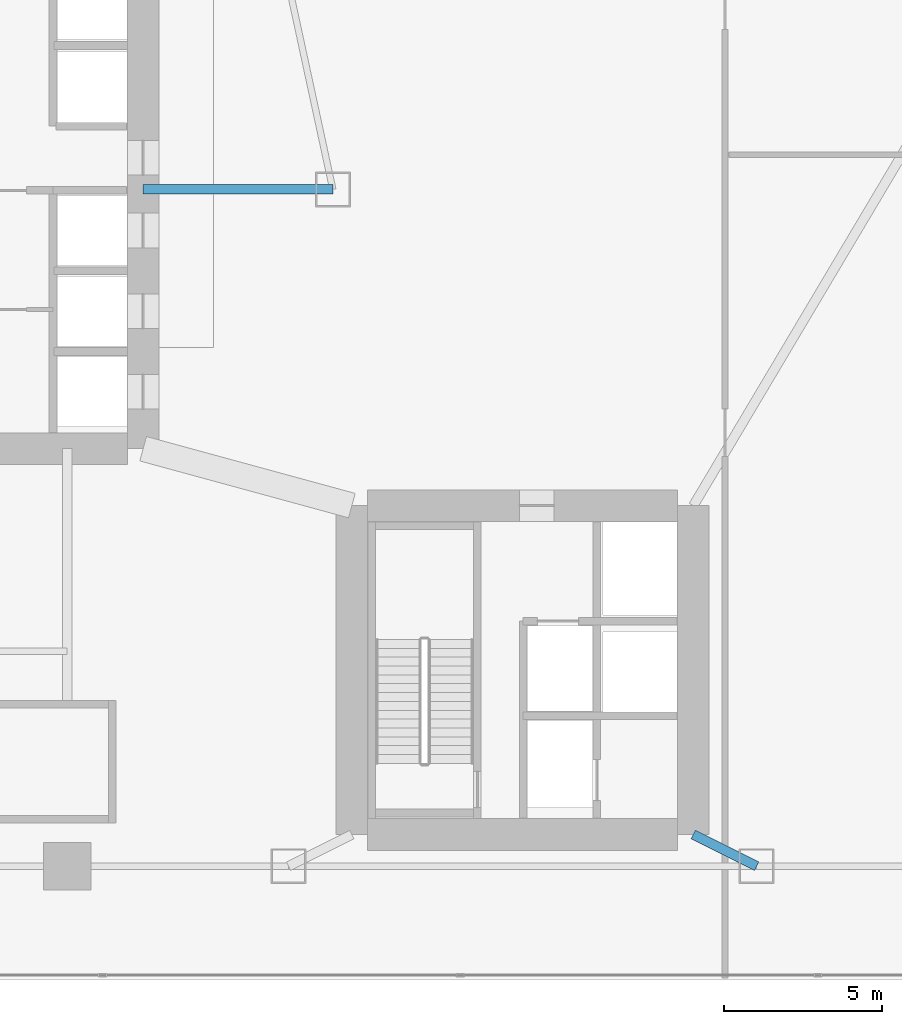
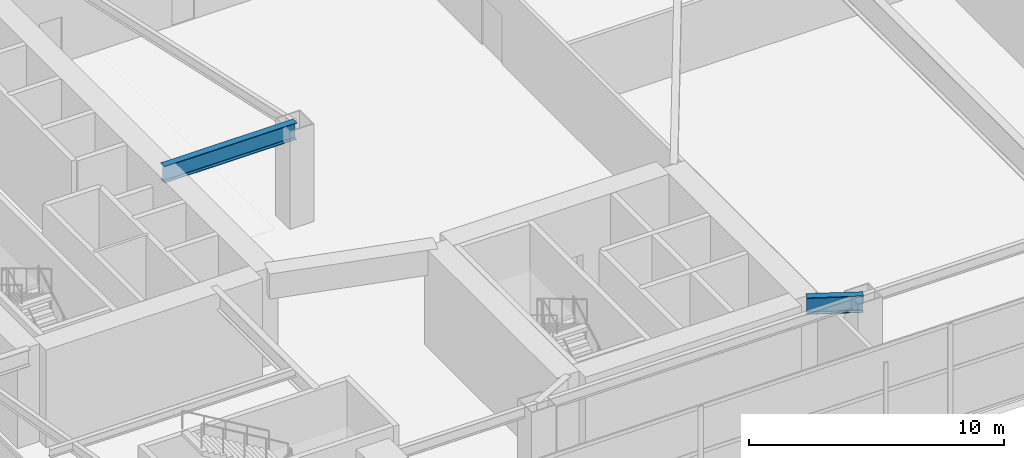
# One storey, part 10 of 35: 2 beams.
"""IFC4 building model written with IfcOpenShell, lengths in metres."""

from ifc_helpers import new_model, si_unit, direction, frame, origin, origin_2d, place, context, subcontext, project, spatial, i_section, extrude, material, material_profile, profile_set, type_object, element, save


model = new_model("IFC4")

# Units and contexts
model_context = context("Model", 3, precision=1e-05, world=origin(), true_north=direction((0.0, 1.0)))
body_context = subcontext(model_context, "Body", "Model", "MODEL_VIEW")
ifc_project = project(units=[si_unit("LENGTHUNIT", "METRE"), si_unit("AREAUNIT", "SQUARE_METRE"), si_unit("VOLUMEUNIT", "CUBIC_METRE"), si_unit("PLANEANGLEUNIT", "RADIAN"), si_unit("MASSUNIT", "GRAM", prefix="KILO")], contexts=[model_context])

# Site, building, storey
site_placement = place(None, origin())
site = spatial("IfcSite", under=ifc_project, at=site_placement, CompositionType="ELEMENT")
building_placement = place(site_placement, origin())
building = spatial("IfcBuilding", under=site, at=building_placement, Name="Calvorn Quay Hotel", CompositionType="ELEMENT")
storey_placement = place(building_placement, frame((0.0, 0.0, 12.0)))
storey = spatial("IfcBuildingStorey", under=building, at=storey_placement, Name="L02", CompositionType="ELEMENT", Elevation=12.0)

# Beams
ifc_material = material(Name="Steel Q390GJC", Category="steel")
ifc_material_profile = material_profile(ifc_material, i_section(OverallWidth=0.300048828125, OverallDepth=0.800048828125, WebThickness=0.013916015625, FlangeThickness=0.02587890625, FilletRadius=0.02392578125, at=origin_2d()), Name="HN800x300x14x26")
ifc_profile_set = profile_set([ifc_material_profile], Name="Steel Q390GJC")
beam_type = type_object("IfcBeamType", Name="BM-GIRD-POD", PredefinedType="BEAM", material=ifc_profile_set)
beam_1_placement = place(storey_placement, frame((21.0, 25.0, 4.280029296875), z_axis=(-1.0, 0.0, 0.0), x_axis=(0.0, -1.0, 0.0)))
element("IfcBeam", 1, at=beam_1_placement, inside=storey, type_object=beam_type, Name="Beam BG-L02-W7", PredefinedType="BEAM", context=body_context, shape_type="SweptSolid", body=[
    extrude(i_section(OverallWidth=0.300048828125, OverallDepth=0.800048828125, WebThickness=0.013916015625, FlangeThickness=0.02587890625, FilletRadius=0.02392578125, at=origin_2d()), origin(), (0.0, 0.0, 1.0), 6.0),
])
beam_2_placement = place(storey_placement, frame((34.39990234375, 3.60009765625, 4.280029296875), z_axis=(-0.894427191, 0.4472135955, 0.0), x_axis=(-0.4472135955, -0.894427191, 0.0)))
element("IfcBeam", 2, at=beam_2_placement, inside=storey, type_object=beam_type, Name="Beam BG-L02-S3", PredefinedType="BEAM", context=body_context, shape_type="SweptSolid", body=[
    extrude(i_section(OverallWidth=0.300048828125, OverallDepth=0.800048828125, WebThickness=0.013916015625, FlangeThickness=0.02587890625, FilletRadius=0.02392578125, at=origin_2d()), origin(), (0.0, 0.0, 1.0), 2.236083984375),
])

save(model, "model.ifc")
